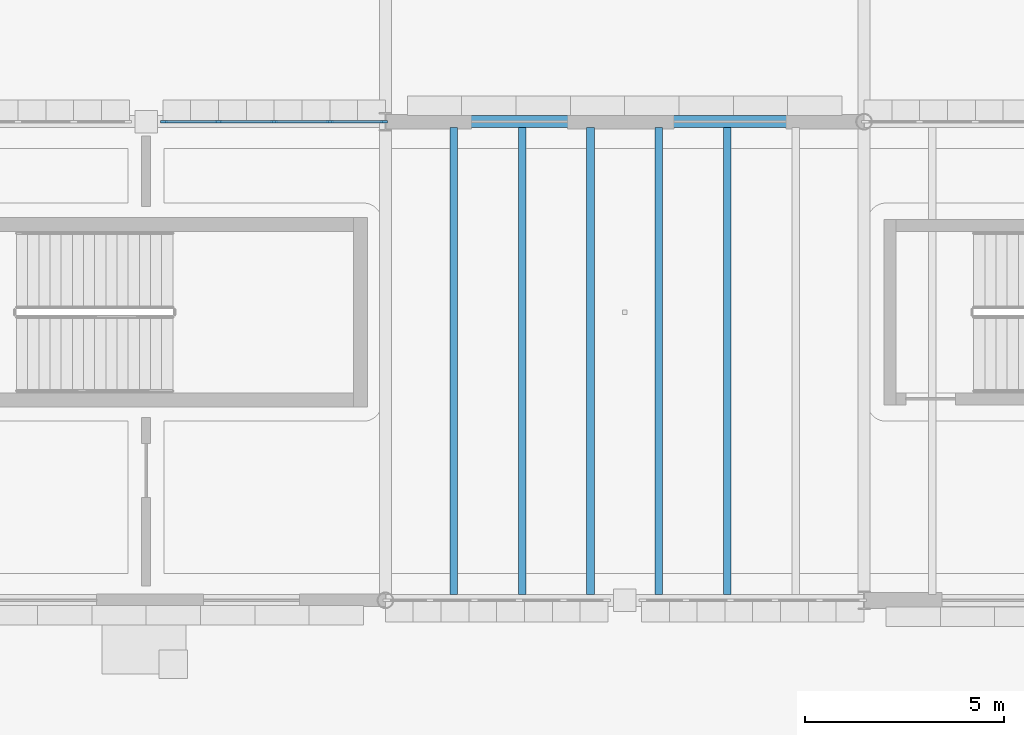
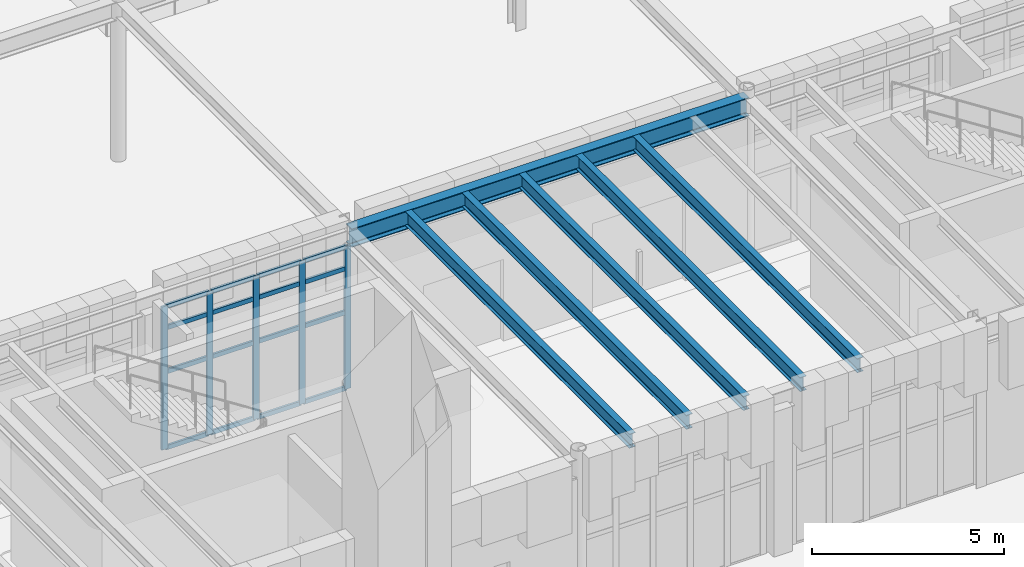
# One storey, part 27 of 103: 21 members, 6 beams, 1 element without a shape of its own.
"""IFC4 building model written with IfcOpenShell, lengths in metres."""

from ifc_helpers import new_model, si_unit, direction, frame, origin, origin_2d, place, context, subcontext, project, spatial, rectangle, i_section, extrude, material, layer, layer_set, material_profile, profile_set, type_object, element, aggregate, save


model = new_model("IFC4")

# Units and contexts
model_context = context("Model", 3, precision=1e-05, world=origin(), true_north=direction((0.0, 1.0)))
body_context = subcontext(model_context, "Body", "Model", "MODEL_VIEW")
ifc_project = project(units=[si_unit("LENGTHUNIT", "METRE"), si_unit("AREAUNIT", "SQUARE_METRE"), si_unit("VOLUMEUNIT", "CUBIC_METRE"), si_unit("PLANEANGLEUNIT", "RADIAN"), si_unit("MASSUNIT", "GRAM", prefix="KILO")], contexts=[model_context])

# Site, building, storey
site_placement = place(None, origin())
site = spatial("IfcSite", under=ifc_project, at=site_placement, CompositionType="ELEMENT")
building_placement = place(site_placement, origin())
building = spatial("IfcBuilding", under=site, at=building_placement, Name="Zlatogorsky Bluff Art Gallery", CompositionType="ELEMENT")
storey_placement = place(building_placement, origin())
storey = spatial("IfcBuildingStorey", under=building, at=storey_placement, Name="L00", CompositionType="ELEMENT", Elevation=0.0)

# Beams
ifc_material_1 = material(Name="Steel S355", Category="steel")
ifc_material_profile_1 = material_profile(ifc_material_1, i_section(OverallWidth=0.300048828125, OverallDepth=0.590087890625, WebThickness=0.012939453125, FlangeThickness=0.02490234375, FilletRadius=0.027099609375, at=origin_2d()), Name="HEA 600")
ifc_profile_set_1 = profile_set([ifc_material_profile_1], Name="Steel S355")
beam_type_1 = type_object("IfcBeamType", Name="Beam BM-05 HEA 600", PredefinedType="BEAM", material=ifc_profile_set_1)
beam_placement = place(storey_placement, frame((84.014892578125, 96.0, 4.844970703125), z_axis=(1.0, 0.0, 0.0), x_axis=(0.0, 1.0, 0.0)))
element("IfcBeam", 1, at=beam_placement, inside=storey, type_object=beam_type_1, Name="Primary girder BM-05 L00 H-J/10", PredefinedType="BEAM", context=body_context, shape_type="SweptSolid", body=[
    extrude(i_section(OverallWidth=0.300048828125, OverallDepth=0.590087890625, WebThickness=0.012939453125, FlangeThickness=0.02490234375, FilletRadius=0.027099609375, at=origin_2d()), origin(), (0.0, 0.0, 1.0), 11.97021484375),
])
ifc_material_profile_2 = material_profile(ifc_material_1, i_section(OverallWidth=0.18994140625, OverallDepth=0.449951171875, WebThickness=0.009521484375, FlangeThickness=0.0146484375, FilletRadius=0.02099609375, at=origin_2d()), Name="IPE 450")
ifc_profile_set_2 = profile_set([ifc_material_profile_2], Name="Steel S355")
beam_type_2 = type_object("IfcBeamType", Name="Beam JS-06 IPE 450", PredefinedType="JOIST", material=ifc_profile_set_2)
for number, where, z_axis, x_axis, name in (
    (2, (85.71435546875, 84.14990234375, 4.9150390625), (0.0, 1.0, 0.0), (-1.0, 0.0, 0.0), "Composite floor joist JS-06 L00 07.08.1"),
    (3, (87.428466796875, 84.14990234375, 4.9150390625), (0.0, 1.0, 0.0), (-1.0, 0.0, 0.0), "Composite floor joist JS-06 L00 07.08.2"),
    (4, (89.142822265625, 84.14990234375, 4.9150390625), (0.0, 1.0, 0.0), (-1.0, 0.0, 0.0), "Composite floor joist JS-06 L00 07.08.3"),
    (5, (90.857177734375, 84.14990234375, 4.9150390625), (0.0, 1.0, 0.0), (-1.0, 0.0, 0.0), "Composite floor joist JS-06 L00 07.08.4"),
    (6, (92.571533203125, 84.14990234375, 4.9150390625), (0.0, 1.0, 0.0), (-1.0, 0.0, 0.0), "Composite floor joist JS-06 L00 07.08.5"),
):
    element("IfcBeam", number, at=place(storey_placement, frame(where, z_axis=z_axis, x_axis=x_axis)), inside=storey, type_object=beam_type_2, Name=name, PredefinedType="JOIST", context=body_context, shape_type="SweptSolid", body=[
        extrude(i_section(OverallWidth=0.18994140625, OverallDepth=0.449951171875, WebThickness=0.009521484375, FlangeThickness=0.0146484375, FilletRadius=0.02099609375, at=origin_2d()), origin(), (0.0, 0.0, 1.0), 11.7001953125),
    ])

# Curtain wall, members
ifc_material_2 = material(Name="Anodised Bronze Aluminium and Low-Iron Triple Glazing", Category="aluminium")
ifc_layer = layer(ifc_material_2, 0.179931640625)
ifc_layer_set = layer_set([ifc_layer], Name="Curtain Wall CW-01")
curtain_wall_type = type_object("IfcCurtainWallType", Name="Curtain Wall CW-01", PredefinedType="USERDEFINED", material=ifc_layer_set)
curtain_wall_placement = place(storey_placement, origin())
curtain_wall = element("IfcCurtainWall", 7, at=curtain_wall_placement, inside=storey, type_object=curtain_wall_type, Name="Unitised curtain wall CW-01 L00 N 6.8-A", ObjectType="CURTAIN WALL", PredefinedType="USERDEFINED")
ifc_material_3 = material(Name="Anodised Bronze Aluminium", Category="aluminium")
ifc_material_profile_3 = material_profile(ifc_material_3, rectangle(XDim=0.06494140625, YDim=0.179931640625, at=origin_2d()), Name="ALU MULLION 65x180")
ifc_profile_set_3 = profile_set([ifc_material_profile_3], Name="Anodised Bronze Aluminium")
member_type_1 = type_object("IfcMemberType", Name="Curtain Mullion ML-01", PredefinedType="MULLION", material=ifc_profile_set_3)
member_1_placement = place(storey_placement, frame((83.967529296875, 96.0, 0.0), z_axis=(0.0, 0.0, 1.0), x_axis=(0.0, -1.0, 0.0)))
member_1 = element("IfcMember", 8, at=member_1_placement, type_object=member_type_1, Name="CW-01 mullion 1", PredefinedType="MULLION", context=body_context, shape_type="SweptSolid", body=[
    extrude(rectangle(XDim=0.06494140625, YDim=0.179931640625, at=origin_2d()), origin(), (0.0, 0.0, 1.0), 4.56005859375),
])
member_2_placement = place(storey_placement, frame((82.60498046875, 96.0, 0.0), z_axis=(0.0, 0.0, 1.0), x_axis=(0.0, -1.0, 0.0)))
member_2 = element("IfcMember", 9, at=member_2_placement, type_object=member_type_1, Name="CW-01 mullion 2", PredefinedType="MULLION", context=body_context, shape_type="SweptSolid", body=[
    extrude(rectangle(XDim=0.06494140625, YDim=0.179931640625, at=origin_2d()), origin(), (0.0, 0.0, 1.0), 4.56005859375),
])
member_3_placement = place(storey_placement, frame((81.2099609375, 96.0, 0.0), z_axis=(0.0, 0.0, 1.0), x_axis=(0.0, -1.0, 0.0)))
member_3 = element("IfcMember", 10, at=member_3_placement, type_object=member_type_1, Name="CW-01 mullion 3", PredefinedType="MULLION", context=body_context, shape_type="SweptSolid", body=[
    extrude(rectangle(XDim=0.06494140625, YDim=0.179931640625, at=origin_2d()), origin(), (0.0, 0.0, 1.0), 4.56005859375),
])
member_4_placement = place(storey_placement, frame((79.81494140625, 96.0, 0.0), z_axis=(0.0, 0.0, 1.0), x_axis=(0.0, -1.0, 0.0)))
member_4 = element("IfcMember", 11, at=member_4_placement, type_object=member_type_1, Name="CW-01 mullion 4", PredefinedType="MULLION", context=body_context, shape_type="SweptSolid", body=[
    extrude(rectangle(XDim=0.06494140625, YDim=0.179931640625, at=origin_2d()), origin(), (0.0, 0.0, 1.0), 4.56005859375),
])
member_5_placement = place(storey_placement, frame((78.452392578125, 96.0, 0.0), z_axis=(0.0, 0.0, 1.0), x_axis=(0.0, -1.0, 0.0)))
member_5 = element("IfcMember", 12, at=member_5_placement, type_object=member_type_1, Name="CW-01 mullion 5", PredefinedType="MULLION", context=body_context, shape_type="SweptSolid", body=[
    extrude(rectangle(XDim=0.06494140625, YDim=0.179931640625, at=origin_2d()), origin(), (0.0, 0.0, 1.0), 4.56005859375),
])
ifc_material_profile_4 = material_profile(ifc_material_3, rectangle(XDim=0.06494140625, YDim=0.139892578125, at=origin_2d()), Name="ALU TRANSOM 65x140")
ifc_profile_set_4 = profile_set([ifc_material_profile_4], Name="Anodised Bronze Aluminium")
member_type_2 = type_object("IfcMemberType", Name="Curtain Transom TR-01", PredefinedType="USERDEFINED", material=ifc_profile_set_4)
member_6_placement = place(storey_placement, frame((83.93505859375, 96.0, 0.032470703125), z_axis=(-1.0, 0.0, 0.0), x_axis=(0.0, -1.0, 0.0)))
member_6 = element("IfcMember", 13, at=member_6_placement, type_object=member_type_2, Name="CW-01 transom 1.1", ObjectType="TRANSOM", PredefinedType="USERDEFINED", context=body_context, shape_type="SweptSolid", body=[
    extrude(rectangle(XDim=0.06494140625, YDim=0.139892578125, at=origin_2d()), origin(), (0.0, 0.0, 1.0), 1.297607421875),
])
member_7_placement = place(storey_placement, frame((83.93505859375, 96.0, 2.449951171875), z_axis=(-1.0, 0.0, 0.0), x_axis=(0.0, -1.0, 0.0)))
member_7 = element("IfcMember", 14, at=member_7_placement, type_object=member_type_2, Name="CW-01 transom 1.2", ObjectType="TRANSOM", PredefinedType="USERDEFINED", context=body_context, shape_type="SweptSolid", body=[
    extrude(rectangle(XDim=0.06494140625, YDim=0.139892578125, at=origin_2d()), origin(), (0.0, 0.0, 1.0), 1.297607421875),
])
member_8_placement = place(storey_placement, frame((83.93505859375, 96.0, 3.85009765625), z_axis=(-1.0, 0.0, 0.0), x_axis=(0.0, -1.0, 0.0)))
member_8 = element("IfcMember", 15, at=member_8_placement, type_object=member_type_2, Name="CW-01 transom 1.3", ObjectType="TRANSOM", PredefinedType="USERDEFINED", context=body_context, shape_type="SweptSolid", body=[
    extrude(rectangle(XDim=0.06494140625, YDim=0.139892578125, at=origin_2d()), origin(), (0.0, 0.0, 1.0), 1.297607421875),
])
member_9_placement = place(storey_placement, frame((83.93505859375, 96.0, 4.527587890625), z_axis=(-1.0, 0.0, 0.0), x_axis=(0.0, -1.0, 0.0)))
member_9 = element("IfcMember", 16, at=member_9_placement, type_object=member_type_2, Name="CW-01 transom 1.4", ObjectType="TRANSOM", PredefinedType="USERDEFINED", context=body_context, shape_type="SweptSolid", body=[
    extrude(rectangle(XDim=0.06494140625, YDim=0.139892578125, at=origin_2d()), origin(), (0.0, 0.0, 1.0), 1.297607421875),
])
member_10_placement = place(storey_placement, frame((82.572509765625, 96.0, 0.032470703125), z_axis=(-1.0, 0.0, 0.0), x_axis=(0.0, -1.0, 0.0)))
member_10 = element("IfcMember", 17, at=member_10_placement, type_object=member_type_2, Name="CW-01 transom 2.1", ObjectType="TRANSOM", PredefinedType="USERDEFINED", context=body_context, shape_type="SweptSolid", body=[
    extrude(rectangle(XDim=0.06494140625, YDim=0.139892578125, at=origin_2d()), origin(), (0.0, 0.0, 1.0), 1.330078125),
])
member_11_placement = place(storey_placement, frame((82.572509765625, 96.0, 2.449951171875), z_axis=(-1.0, 0.0, 0.0), x_axis=(0.0, -1.0, 0.0)))
member_11 = element("IfcMember", 18, at=member_11_placement, type_object=member_type_2, Name="CW-01 transom 2.2", ObjectType="TRANSOM", PredefinedType="USERDEFINED", context=body_context, shape_type="SweptSolid", body=[
    extrude(rectangle(XDim=0.06494140625, YDim=0.139892578125, at=origin_2d()), origin(), (0.0, 0.0, 1.0), 1.330078125),
])
member_12_placement = place(storey_placement, frame((82.572509765625, 96.0, 3.85009765625), z_axis=(-1.0, 0.0, 0.0), x_axis=(0.0, -1.0, 0.0)))
member_12 = element("IfcMember", 19, at=member_12_placement, type_object=member_type_2, Name="CW-01 transom 2.3", ObjectType="TRANSOM", PredefinedType="USERDEFINED", context=body_context, shape_type="SweptSolid", body=[
    extrude(rectangle(XDim=0.06494140625, YDim=0.139892578125, at=origin_2d()), origin(), (0.0, 0.0, 1.0), 1.330078125),
])
member_13_placement = place(storey_placement, frame((82.572509765625, 96.0, 4.527587890625), z_axis=(-1.0, 0.0, 0.0), x_axis=(0.0, -1.0, 0.0)))
member_13 = element("IfcMember", 20, at=member_13_placement, type_object=member_type_2, Name="CW-01 transom 2.4", ObjectType="TRANSOM", PredefinedType="USERDEFINED", context=body_context, shape_type="SweptSolid", body=[
    extrude(rectangle(XDim=0.06494140625, YDim=0.139892578125, at=origin_2d()), origin(), (0.0, 0.0, 1.0), 1.330078125),
])
member_14_placement = place(storey_placement, frame((81.177490234375, 96.0, 0.032470703125), z_axis=(-1.0, 0.0, 0.0), x_axis=(0.0, -1.0, 0.0)))
member_14 = element("IfcMember", 21, at=member_14_placement, type_object=member_type_2, Name="CW-01 transom 3.1", ObjectType="TRANSOM", PredefinedType="USERDEFINED", context=body_context, shape_type="SweptSolid", body=[
    extrude(rectangle(XDim=0.06494140625, YDim=0.139892578125, at=origin_2d()), origin(), (0.0, 0.0, 1.0), 1.330078125),
])
member_15_placement = place(storey_placement, frame((81.177490234375, 96.0, 2.449951171875), z_axis=(-1.0, 0.0, 0.0), x_axis=(0.0, -1.0, 0.0)))
member_15 = element("IfcMember", 22, at=member_15_placement, type_object=member_type_2, Name="CW-01 transom 3.2", ObjectType="TRANSOM", PredefinedType="USERDEFINED", context=body_context, shape_type="SweptSolid", body=[
    extrude(rectangle(XDim=0.06494140625, YDim=0.139892578125, at=origin_2d()), origin(), (0.0, 0.0, 1.0), 1.330078125),
])
member_16_placement = place(storey_placement, frame((81.177490234375, 96.0, 3.85009765625), z_axis=(-1.0, 0.0, 0.0), x_axis=(0.0, -1.0, 0.0)))
member_16 = element("IfcMember", 23, at=member_16_placement, type_object=member_type_2, Name="CW-01 transom 3.3", ObjectType="TRANSOM", PredefinedType="USERDEFINED", context=body_context, shape_type="SweptSolid", body=[
    extrude(rectangle(XDim=0.06494140625, YDim=0.139892578125, at=origin_2d()), origin(), (0.0, 0.0, 1.0), 1.330078125),
])
member_17_placement = place(storey_placement, frame((81.177490234375, 96.0, 4.527587890625), z_axis=(-1.0, 0.0, 0.0), x_axis=(0.0, -1.0, 0.0)))
member_17 = element("IfcMember", 24, at=member_17_placement, type_object=member_type_2, Name="CW-01 transom 3.4", ObjectType="TRANSOM", PredefinedType="USERDEFINED", context=body_context, shape_type="SweptSolid", body=[
    extrude(rectangle(XDim=0.06494140625, YDim=0.139892578125, at=origin_2d()), origin(), (0.0, 0.0, 1.0), 1.330078125),
])
member_18_placement = place(storey_placement, frame((79.782470703125, 96.0, 0.032470703125), z_axis=(-1.0, 0.0, 0.0), x_axis=(0.0, -1.0, 0.0)))
member_18 = element("IfcMember", 25, at=member_18_placement, type_object=member_type_2, Name="CW-01 transom 4.1", ObjectType="TRANSOM", PredefinedType="USERDEFINED", context=body_context, shape_type="SweptSolid", body=[
    extrude(rectangle(XDim=0.06494140625, YDim=0.139892578125, at=origin_2d()), origin(), (0.0, 0.0, 1.0), 1.29736328125),
])
member_19_placement = place(storey_placement, frame((79.782470703125, 96.0, 2.449951171875), z_axis=(-1.0, 0.0, 0.0), x_axis=(0.0, -1.0, 0.0)))
member_19 = element("IfcMember", 26, at=member_19_placement, type_object=member_type_2, Name="CW-01 transom 4.2", ObjectType="TRANSOM", PredefinedType="USERDEFINED", context=body_context, shape_type="SweptSolid", body=[
    extrude(rectangle(XDim=0.06494140625, YDim=0.139892578125, at=origin_2d()), origin(), (0.0, 0.0, 1.0), 1.29736328125),
])
member_20_placement = place(storey_placement, frame((79.782470703125, 96.0, 3.85009765625), z_axis=(-1.0, 0.0, 0.0), x_axis=(0.0, -1.0, 0.0)))
member_20 = element("IfcMember", 27, at=member_20_placement, type_object=member_type_2, Name="CW-01 transom 4.3", ObjectType="TRANSOM", PredefinedType="USERDEFINED", context=body_context, shape_type="SweptSolid", body=[
    extrude(rectangle(XDim=0.06494140625, YDim=0.139892578125, at=origin_2d()), origin(), (0.0, 0.0, 1.0), 1.29736328125),
])
member_21_placement = place(storey_placement, frame((79.782470703125, 96.0, 4.527587890625), z_axis=(-1.0, 0.0, 0.0), x_axis=(0.0, -1.0, 0.0)))
member_21 = element("IfcMember", 28, at=member_21_placement, type_object=member_type_2, Name="CW-01 transom 4.4", ObjectType="TRANSOM", PredefinedType="USERDEFINED", context=body_context, shape_type="SweptSolid", body=[
    extrude(rectangle(XDim=0.06494140625, YDim=0.139892578125, at=origin_2d()), origin(), (0.0, 0.0, 1.0), 1.29736328125),
])
aggregate(curtain_wall, [member_1, member_2, member_3, member_4, member_5, member_6, member_7, member_8, member_9, member_10, member_11, member_12, member_13, member_14, member_15, member_16, member_17, member_18, member_19, member_20, member_21])

save(model, "model.ifc")
